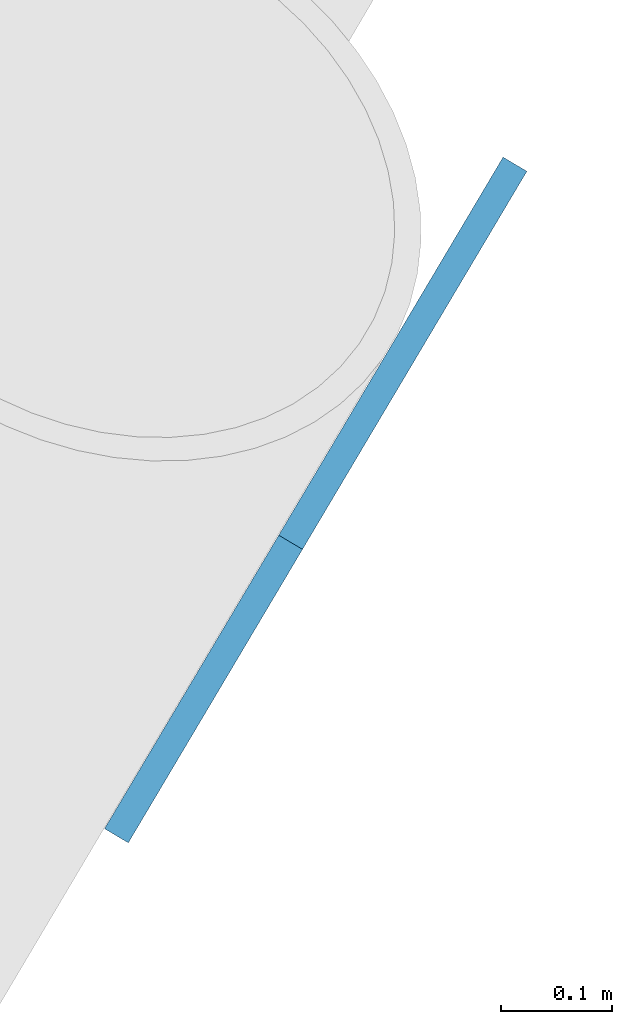
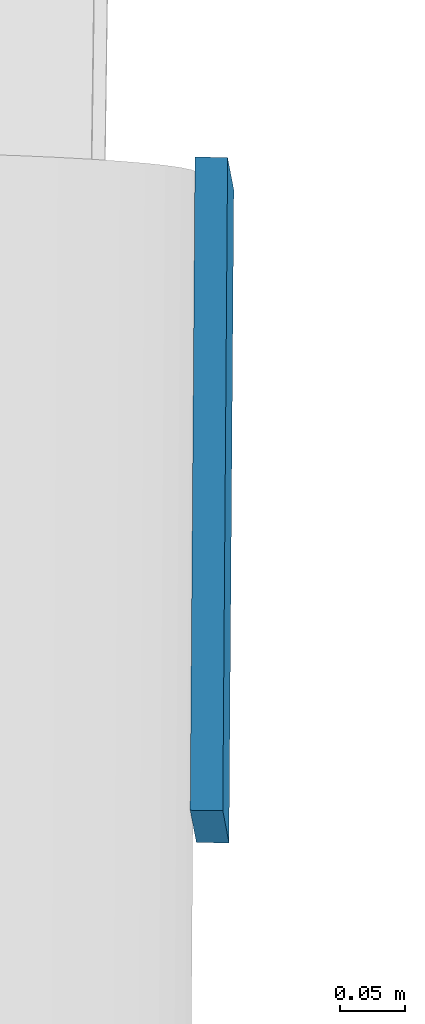
# One storey, part 11 of 23: 1 discrete accessory.
"""IFC4 building model written with IfcOpenShell, lengths in metres."""

from ifc_helpers import new_model, si_unit, direction, frame, origin, origin_2d, place, context, subcontext, project, spatial, rectangle, extrude, material, material_profile, profile_set, type_object, element, save


model = new_model("IFC4")

# Units and contexts
model_context = context("Model", 3, precision=1e-05, world=origin(), true_north=direction((0.0, 1.0)))
body_context = subcontext(model_context, "Body", "Model", "MODEL_VIEW")
ifc_project = project(units=[si_unit("LENGTHUNIT", "METRE"), si_unit("AREAUNIT", "SQUARE_METRE"), si_unit("VOLUMEUNIT", "CUBIC_METRE"), si_unit("PLANEANGLEUNIT", "RADIAN"), si_unit("MASSUNIT", "GRAM", prefix="KILO")], contexts=[model_context])

# Site, building, storey
site_placement = place(None, origin())
site = spatial("IfcSite", under=ifc_project, at=site_placement, CompositionType="ELEMENT")
building_placement = place(site_placement, origin())
building = spatial("IfcBuilding", under=site, at=building_placement, Name="Tarsis Ring Headquarters", CompositionType="ELEMENT")
storey_placement = place(building_placement, frame((0.0, 0.0, 155.39990234375)))
storey = spatial("IfcBuildingStorey", under=building, at=storey_placement, Name="L35", CompositionType="ELEMENT", Elevation=155.39990234375)

# Discrete accessory
ifc_material = material(Name="Structural steel S355", Category="steel")
ifc_material_profile = material_profile(ifc_material, rectangle(XDim=0.02490234375, YDim=0.5, at=origin_2d()), Name="PL 25x500")
ifc_profile_set = profile_set([ifc_material_profile], Name="Structural steel S355")
discrete_accessory_type = type_object("IfcDiscreteAccessoryType", Name="Gusset plate Exo brace 25", PredefinedType="BRACKET", material=ifc_profile_set)
discrete_accessory_placement = place(storey_placement, frame((-37.283203125, 20.365478515625, 7.800048828125), z_axis=(-0.313075401744, -0.527490536479, -0.789770553229), x_axis=(0.859942116726, -0.510391571131, 0.0)))
element("IfcDiscreteAccessory", 1, at=discrete_accessory_placement, inside=storey, type_object=discrete_accessory_type, Name="Gusset plate GP5", PredefinedType="BRACKET", context=body_context, shape_type="SweptSolid", body=[
    extrude(rectangle(XDim=0.02490234375, YDim=0.5, at=origin_2d()), origin(), (0.0, 0.0, 1.0), 0.499755859375),
])

save(model, "model.ifc")
